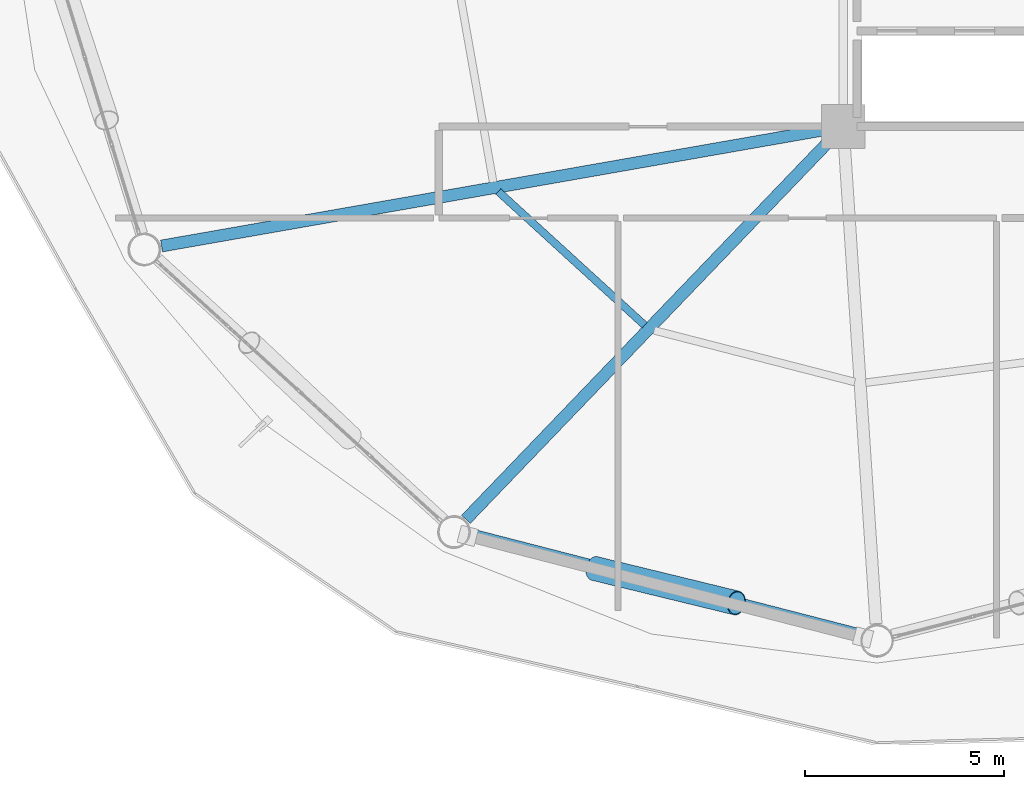
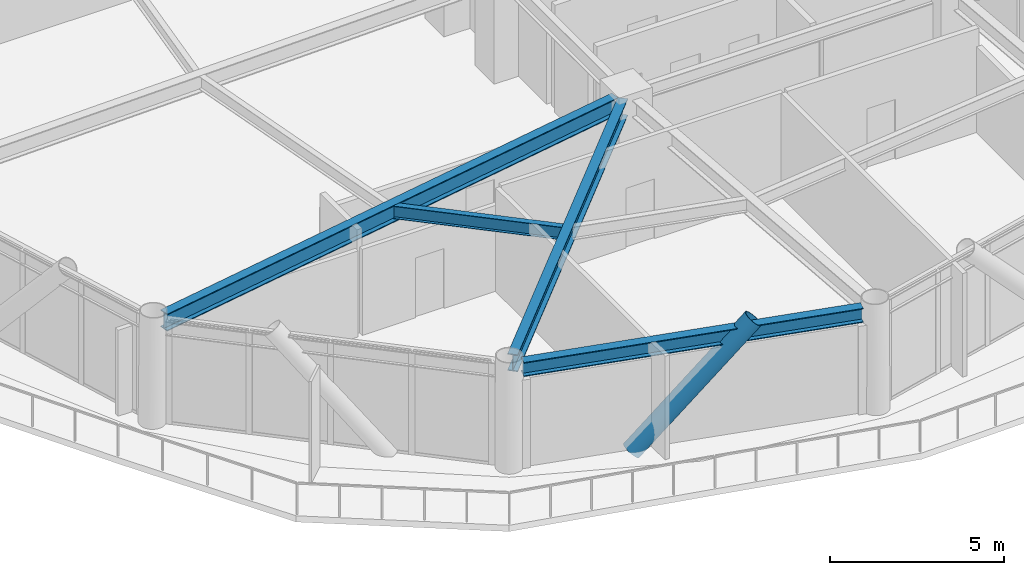
# One storey, part 4 of 23: 4 beams, 1 member.
"""IFC4 building model written with IfcOpenShell, lengths in metres."""

from ifc_helpers import new_model, si_unit, direction, frame, origin, origin_2d, place, context, subcontext, project, spatial, hollow_circle, i_section, extrude, material, material_profile, profile_set, type_object, element, save


model = new_model("IFC4")

# Units and contexts
model_context = context("Model", 3, precision=1e-05, world=origin(), true_north=direction((0.0, 1.0)))
body_context = subcontext(model_context, "Body", "Model", "MODEL_VIEW")
ifc_project = project(units=[si_unit("LENGTHUNIT", "METRE"), si_unit("AREAUNIT", "SQUARE_METRE"), si_unit("VOLUMEUNIT", "CUBIC_METRE"), si_unit("PLANEANGLEUNIT", "RADIAN"), si_unit("MASSUNIT", "GRAM", prefix="KILO")], contexts=[model_context])

# Site, building, storey
site_placement = place(None, origin())
site = spatial("IfcSite", under=ifc_project, at=site_placement, CompositionType="ELEMENT")
building_placement = place(site_placement, origin())
building = spatial("IfcBuilding", under=site, at=building_placement, Name="Varnakorn Sky Granary", CompositionType="ELEMENT")
storey_placement = place(building_placement, frame((0.0, 0.0, 114.89990234375)))
storey = spatial("IfcBuildingStorey", under=building, at=storey_placement, Name="L28", CompositionType="ELEMENT", Elevation=114.89990234375)

# Beams
ifc_material_1 = material(Name="Steel S355JR", Category="steel")
ifc_material_profile_1 = material_profile(ifc_material_1, i_section(OverallWidth=0.300048828125, OverallDepth=0.60009765625, WebThickness=0.015380859375, FlangeThickness=0.030029296875, at=origin_2d()), Name="HE 600 B")
ifc_profile_set_1 = profile_set([ifc_material_profile_1], Name="Steel S355JR")
beam_type_1 = type_object("IfcBeamType", Name="BM-RAD-Z2", PredefinedType="BEAM", material=ifc_profile_set_1)
beam_1_placement = place(storey_placement, frame((-2.763671875, -6.672607421875, 3.340087890625), z_axis=(-0.984978693959, -0.172675917393, 0.0), x_axis=(0.172675917393, -0.984978693959, 0.0)))
element("IfcBeam", 1, at=beam_1_placement, inside=storey, type_object=beam_type_1, Name="Radial Floor Girder RG08 L28", PredefinedType="BEAM", context=body_context, shape_type="SweptSolid", body=[
    extrude(i_section(OverallWidth=0.300048828125, OverallDepth=0.60009765625, WebThickness=0.015380859375, FlangeThickness=0.030029296875, at=origin_2d()), origin(), (0.0, 0.0, 1.0), 16.949462890625),
])
beam_2_placement = place(storey_placement, frame((-2.640869140625, -6.90283203125, 3.340087890625), z_axis=(-0.692647250314, -0.721276498046, 0.0), x_axis=(0.721276498046, -0.692647250314, 0.0)))
element("IfcBeam", 2, at=beam_2_placement, inside=storey, type_object=beam_type_1, Name="Radial Floor Girder RG09 L28", PredefinedType="BEAM", context=body_context, shape_type="SweptSolid", body=[
    extrude(i_section(OverallWidth=0.300048828125, OverallDepth=0.60009765625, WebThickness=0.015380859375, FlangeThickness=0.030029296875, at=origin_2d()), origin(), (0.0, 0.0, 1.0), 13.251953125),
])
ifc_material_profile_2 = material_profile(ifc_material_1, i_section(OverallWidth=0.18994140625, OverallDepth=0.449951171875, WebThickness=0.009521484375, FlangeThickness=0.0146484375, at=origin_2d()), Name="IPE 450")
ifc_profile_set_2 = profile_set([ifc_material_profile_2], Name="Steel S355JR")
beam_type_2 = type_object("IfcBeamType", Name="BM-SEC-Z2", PredefinedType="BEAM", material=ifc_profile_set_2)
beam_3_placement = place(storey_placement, frame((-11.0078125, -8.23046875, 3.4150390625), z_axis=(0.738226308457, -0.6745531243, 0.0), x_axis=(0.6745531243, 0.738226308457, 0.0)))
element("IfcBeam", 3, at=beam_3_placement, inside=storey, type_object=beam_type_2, Name="Secondary Floor Chord Beam MSB08 L28", PredefinedType="BEAM", context=body_context, shape_type="SweptSolid", body=[
    extrude(i_section(OverallWidth=0.18994140625, OverallDepth=0.449951171875, WebThickness=0.009521484375, FlangeThickness=0.0146484375, at=origin_2d()), origin(), (0.0, 0.0, 1.0), 4.976806640625),
])
ifc_material_profile_3 = material_profile(ifc_material_1, i_section(OverallWidth=0.300048828125, OverallDepth=0.5, WebThickness=0.014404296875, FlangeThickness=0.028076171875, at=origin_2d()), Name="HE 500 B")
ifc_profile_set_3 = profile_set([ifc_material_profile_3], Name="Steel S355JR")
beam_type_3 = type_object("IfcBeamType", Name="BM-SPD-Z2", PredefinedType="SPANDREL", material=ifc_profile_set_3)
beam_4_placement = place(storey_placement, frame((-11.7119140625, -16.84130859375, 3.39013671875), z_axis=(0.968454808445, -0.249189253381, 0.0), x_axis=(0.249189253381, 0.968454808445, 0.0)))
element("IfcBeam", 4, at=beam_4_placement, inside=storey, type_object=beam_type_3, Name="Perimeter Spandrel Ring Beam RB09 L28", PredefinedType="SPANDREL", context=body_context, shape_type="SweptSolid", body=[
    extrude(i_section(OverallWidth=0.300048828125, OverallDepth=0.5, WebThickness=0.014404296875, FlangeThickness=0.028076171875, at=origin_2d()), origin(), (0.0, 0.0, 1.0), 10.153076171875),
])

# Member
ifc_material_2 = material(Name="Steel S460M", Category="steel")
ifc_material_profile_4 = material_profile(ifc_material_2, hollow_circle(Radius=0.304931640625, WallThickness=0.022216796875, at=origin_2d()), Name="CHS 610x22")
ifc_profile_set_4 = profile_set([ifc_material_profile_4], Name="Steel S460M")
member_type = type_object("IfcMemberType", Name="MB-DIAG-T1", PredefinedType="BRACE", material=ifc_profile_set_4)
member_placement = place(storey_placement, frame((-8.582763671875, -17.69580078125, -0.1298828125), z_axis=(0.66273004736, -0.161321546818, 0.731275763894), x_axis=(0.236513445211, 0.971628216055, 0.0)))
element("IfcMember", 5, at=member_placement, inside=storey, type_object=member_type, Name="Perimeter CHS Diagrid Brace DG09 L28", PredefinedType="BRACE", context=body_context, shape_type="SweptSolid", body=[
    extrude(hollow_circle(Radius=0.304931640625, WallThickness=0.022216796875, at=origin_2d()), origin(), (0.0, 0.0, 1.0), 5.3603515625),
])

save(model, "model.ifc")
